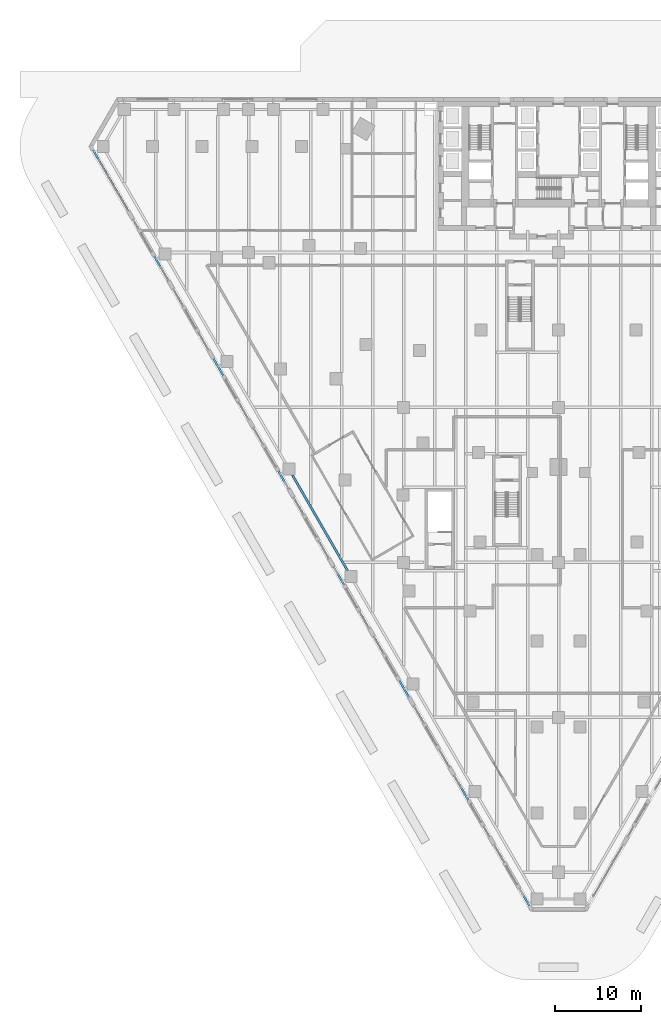
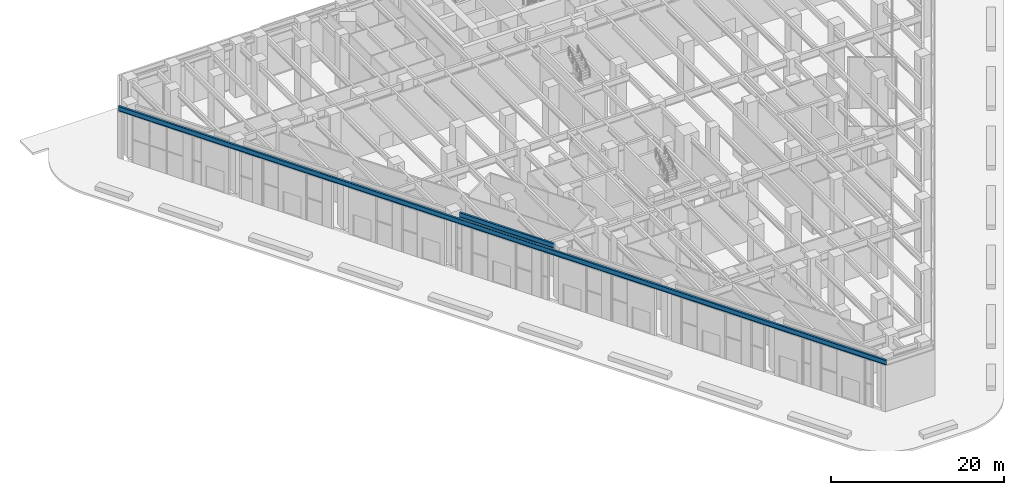
# One storey, part 4 of 37: 2 beams.
"""IFC4 building model written with IfcOpenShell, lengths in metres."""

from ifc_helpers import new_model, si_unit, direction, frame, origin, origin_2d, place, context, subcontext, project, spatial, i_section, extrude, material, material_profile, profile_set, type_object, element, save


model = new_model("IFC4")

# Units and contexts
model_context = context("Model", 3, precision=1e-05, world=origin(), true_north=direction((0.0, 1.0)))
body_context = subcontext(model_context, "Body", "Model", "MODEL_VIEW")
ifc_project = project(units=[si_unit("LENGTHUNIT", "METRE"), si_unit("AREAUNIT", "SQUARE_METRE"), si_unit("VOLUMEUNIT", "CUBIC_METRE"), si_unit("PLANEANGLEUNIT", "RADIAN"), si_unit("MASSUNIT", "GRAM", prefix="KILO")], contexts=[model_context])

# Site, building, storey
site_placement = place(None, origin())
site = spatial("IfcSite", under=ifc_project, at=site_placement, CompositionType="ELEMENT")
building_placement = place(site_placement, origin())
building = spatial("IfcBuilding", under=site, at=building_placement, Name="Aloe Facet Convention Tower", CompositionType="ELEMENT")
storey_placement = place(building_placement, origin())
storey = spatial("IfcBuildingStorey", under=building, at=storey_placement, Name="L00", CompositionType="ELEMENT", Elevation=0.0)

# Beams
ifc_material_1 = material(Name="Steel S355", Category="steel")
ifc_material_profile_1 = material_profile(ifc_material_1, i_section(OverallWidth=0.25439453125, OverallDepth=0.6875, WebThickness=0.01318359375, FlangeThickness=0.02099609375, FilletRadius=0.01513671875, at=origin_2d()), Name="UB 686x254x152")
ifc_profile_set_1 = profile_set([ifc_material_profile_1], Name="Steel S355")
beam_type_1 = type_object("IfcBeamType", Name="EV-EB-UB686x254x152", PredefinedType="BEAM", material=ifc_profile_set_1)
beam_1_placement = place(storey_placement, frame((25.627197265625, 129.396728515625, 6.856201171875), z_axis=(0.500002624191, -0.866023888702, 0.0), x_axis=(0.866023888702, 0.500002624191, 0.0)))
element("IfcBeam", 1, at=beam_1_placement, inside=storey, type_object=beam_type_1, Name="EB-L01-W", PredefinedType="BEAM", context=body_context, shape_type="SweptSolid", body=[
    extrude(i_section(OverallWidth=0.25439453125, OverallDepth=0.6875, WebThickness=0.01318359375, FlangeThickness=0.02099609375, FilletRadius=0.01513671875, at=origin_2d()), origin(), (0.0, 0.0, 1.0), 102.53515625),
])
ifc_material_2 = material(Name="Steel S355", Category="steel")
ifc_material_profile_2 = material_profile(ifc_material_2, i_section(OverallWidth=0.25439453125, OverallDepth=0.6875, WebThickness=0.01318359375, FlangeThickness=0.02099609375, FilletRadius=0.01513671875, at=origin_2d()), Name="UB 686x254x152")
ifc_profile_set_2 = profile_set([ifc_material_profile_2], Name="Steel S355")
beam_type_2 = type_object("IfcBeamType", Name="SF-B-UB686x254x152", PredefinedType="BEAM", material=ifc_profile_set_2)
beam_2_placement = place(storey_placement, frame((55.478515625, 80.04296875, 6.856201171875), z_axis=(-0.499999833739, 0.866025499775, 0.0), x_axis=(-0.866025499775, -0.499999833739, 0.0)))
element("IfcBeam", 2, at=beam_2_placement, inside=storey, type_object=beam_type_2, Name="Floor beam FB-L01-011", PredefinedType="BEAM", context=body_context, shape_type="SweptSolid", body=[
    extrude(i_section(OverallWidth=0.25439453125, OverallDepth=0.6875, WebThickness=0.01318359375, FlangeThickness=0.02099609375, FilletRadius=0.01513671875, at=origin_2d()), origin(), (0.0, 0.0, 1.0), 12.7998046875),
])

save(model, "model.ifc")
